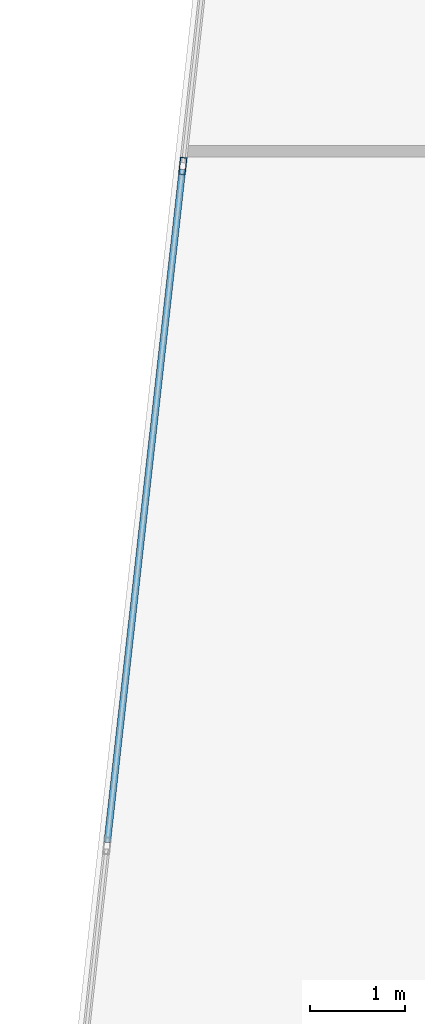
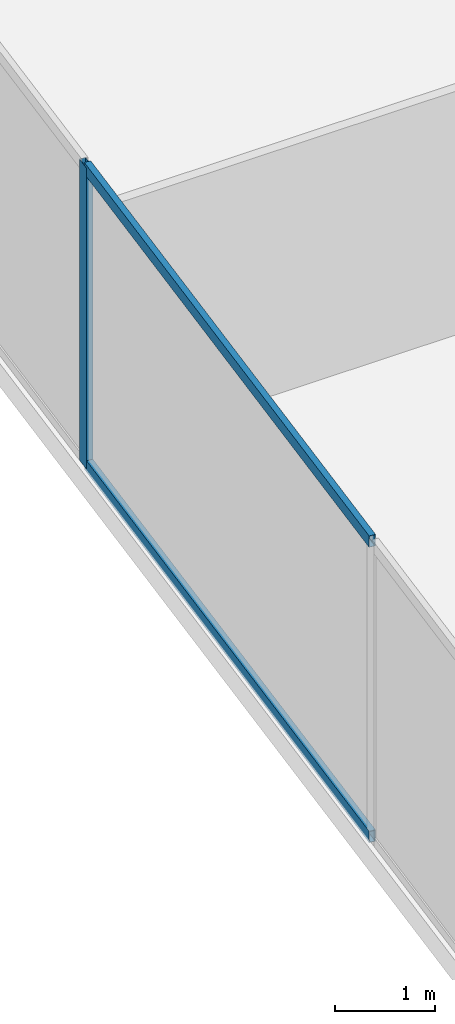
# One storey, part 6 of 28: 3 members, 1 element without a shape of its own.
"""IFC4 building model written with IfcOpenShell, lengths in metres."""

from ifc_helpers import new_model, si_unit, direction, frame, origin, origin_2d, place, context, subcontext, project, spatial, hollow_rectangle, extrude, source, transform, mapped, material, material_profile, profile_set, type_object, type_shapes, element, aggregate, save


model = new_model("IFC4")

# Units and contexts
model_context = context("Model", 3, precision=1e-05, world=origin(), true_north=direction((0.0, 1.0)))
body_context = subcontext(model_context, "Body", "Model", "MODEL_VIEW")
ifc_project = project(units=[si_unit("LENGTHUNIT", "METRE"), si_unit("AREAUNIT", "SQUARE_METRE"), si_unit("VOLUMEUNIT", "CUBIC_METRE"), si_unit("PLANEANGLEUNIT", "RADIAN"), si_unit("MASSUNIT", "GRAM", prefix="KILO")], contexts=[model_context])

# Site, building, storey
site_placement = place(None, origin())
site = spatial("IfcSite", under=ifc_project, at=site_placement, CompositionType="ELEMENT")
building_placement = place(site_placement, origin())
building = spatial("IfcBuilding", under=site, at=building_placement, Name="Krantzveldt Concourse Tower", CompositionType="ELEMENT")
storey_placement = place(building_placement, frame((0.0, 0.0, 64.5)))
storey = spatial("IfcBuildingStorey", under=building, at=storey_placement, Name="L15", CompositionType="ELEMENT", Elevation=64.5)

# Curtain wall, members
ifc_material = material(Name="Anodised aluminium 6063-T6", Category="aluminium")
curtain_wall_type = type_object("IfcCurtainWallType", Name="CW2", PredefinedType="USERDEFINED", material=ifc_material)
curtain_wall_placement = place(storey_placement, origin())
curtain_wall = element("IfcCurtainWall", 1, at=curtain_wall_placement, inside=storey, type_object=curtain_wall_type, Name="CW-L15-F01", ObjectType="UNITISED CURTAIN WALL", PredefinedType="USERDEFINED")
ifc_material_profile_1 = material_profile(ifc_material, hollow_rectangle(XDim=0.070068359375, YDim=0.179931640625, WallThickness=0.0048828125, at=origin_2d()), Name="Anodised aluminium 6063-T6", Category="aluminium")
ifc_profile_set_1 = profile_set([ifc_material_profile_1], Name="Anodised aluminium 6063-T6 - ALU-MULL 180x70x5")
member_type_1 = type_object("IfcMemberType", Name="CW-MUL-180", PredefinedType="MULLION", material=ifc_profile_set_1)
shared_shape_1 = source(origin(), body_context, "Body", "SweptSolid", [
    extrude(hollow_rectangle(XDim=0.070068359375, YDim=0.179931640625, WallThickness=0.0048828125, at=origin_2d()), origin(), (0.0, 0.0, 1.0), 3.669921875),
])
type_shapes(member_type_1, [shared_shape_1])
member_1_placement = place(storey_placement, frame((10.4482421875, 22.343505859375, 0.0), z_axis=(0.0, 0.0, 1.0), x_axis=(0.993816458223, -0.111035342863, 0.0)))
member_1 = element("IfcMember", 2, at=member_1_placement, type_object=member_type_1, Name="CW-Z12 mullion 5", PredefinedType="MULLION", context=body_context, shape_type="MappedRepresentation", body=[
    mapped(shared_shape_1, transform((0.0, 0.0, 0.0), x_axis=(1.0, 0.0, 0.0), y_axis=(0.0, 1.0, 0.0), z_axis=(0.0, 0.0, 1.0), scale=1.0)),
])
ifc_material_profile_2 = material_profile(ifc_material, hollow_rectangle(XDim=0.070068359375, YDim=0.139892578125, WallThickness=0.0048828125, at=origin_2d()), Name="Anodised aluminium 6063-T6", Category="aluminium")
ifc_profile_set_2 = profile_set([ifc_material_profile_2], Name="Anodised aluminium 6063-T6 - ALU-TRAN 140x70x5")
member_type_2 = type_object("IfcMemberType", Name="CW-TRN-150", PredefinedType="USERDEFINED", material=ifc_profile_set_2)
shared_shape_2 = source(origin(), body_context, "Body", "SweptSolid", [
    extrude(hollow_rectangle(XDim=0.070068359375, YDim=0.139892578125, WallThickness=0.0048828125, at=origin_2d()), origin(), (0.0, 0.0, 1.0), 7.096923828125),
])
type_shapes(member_type_2, [shared_shape_2])
member_2_placement = place(storey_placement, frame((10.4443359375, 22.308837890625, 0.034912109375), z_axis=(-0.111012972935, -0.993818957275, 0.0), x_axis=(0.993818957275, -0.111012972935, 0.0)))
member_2 = element("IfcMember", 3, at=member_2_placement, type_object=member_type_2, Name="CW-Z12 transom 5.1", ObjectType="TRANSOM", PredefinedType="USERDEFINED", context=body_context, shape_type="MappedRepresentation", body=[
    mapped(shared_shape_2, transform((0.0, 0.0, 0.0), x_axis=(1.0, 0.0, 0.0), y_axis=(0.0, 1.0, 0.0), z_axis=(0.0, 0.0, 1.0), scale=1.0)),
])
member_3_placement = place(storey_placement, frame((10.4443359375, 22.308837890625, 3.635009765625), z_axis=(-0.111012972935, -0.993818957275, 0.0), x_axis=(0.993818957275, -0.111012972935, 0.0)))
member_3 = element("IfcMember", 4, at=member_3_placement, type_object=member_type_2, Name="CW-Z12 transom 5.2", ObjectType="TRANSOM", PredefinedType="USERDEFINED", context=body_context, shape_type="MappedRepresentation", body=[
    mapped(shared_shape_2, transform((0.0, 0.0, 0.0), x_axis=(1.0, 0.0, 0.0), y_axis=(0.0, 1.0, 0.0), z_axis=(0.0, 0.0, 1.0), scale=1.0)),
])
aggregate(curtain_wall, [member_1, member_2, member_3])

save(model, "model.ifc")
